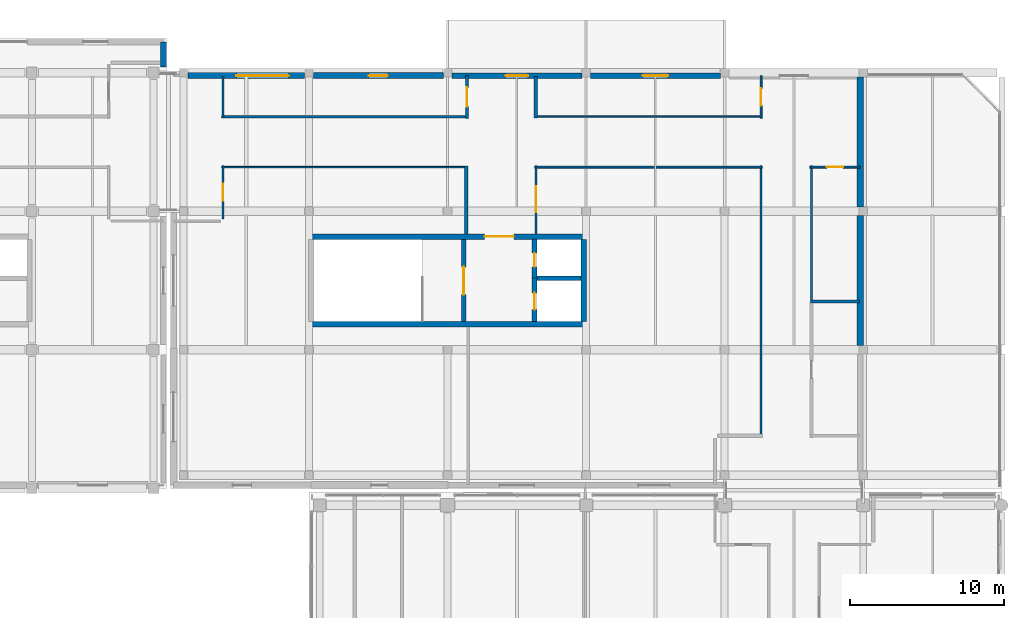
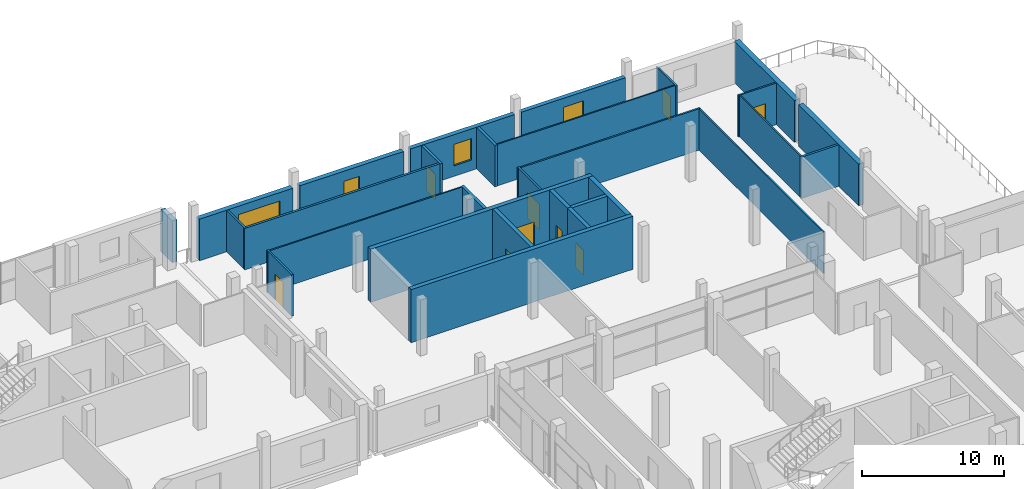
# One storey, part 85 of 111: 29 walls, 9 doors, 4 windows, 13 openings.
"""IFC4 building model written with IfcOpenShell, lengths in metres."""

import ifcopenshell
import ifcopenshell.guid

model = None  # the IFC model being written
_history = None  # IfcOwnerHistory: only IFC2X3 demands one
_inside = {}  # id of a spatial element -> (the spatial element, [elements in it])
_under = {}  # id of a project, library or spatial element -> (it, [spatial elements below it])
_declared = {}  # id of a project -> (the project, [libraries it declares])
_typed = {}  # id of a type object -> (the type object, [elements of that type])
_made_of = {}  # id of a material, layer set ... -> (it, [elements and type objects made of it])


def new_model(schema):
    """Start an empty IFC model of exactly this schema.

    Asked for "IFC4X3", IfcOpenShell would pick the latest addendum, in which some entities
    have other attributes; the version numbers below select the first issue.
    IFC2X3 requires an IfcOwnerHistory on every rooted entity: one is made here for all.
    """
    global model, _history
    if schema == "IFC4X3":
        model = ifcopenshell.file(schema_version=(4, 3, 0, 0))
    else:
        model = ifcopenshell.file(schema=schema)
    _inside.clear()
    _under.clear()
    _declared.clear()
    _typed.clear()
    _made_of.clear()
    _history = None
    if model.schema == "IFC2X3":
        org = make("IfcOrganization", Name="unknown")
        user = make(
            "IfcPersonAndOrganization",
            ThePerson=make("IfcPerson", FamilyName="unknown"),
            TheOrganization=org,
        )
        app = make(
            "IfcApplication",
            ApplicationDeveloper=org,
            Version="unknown",
            ApplicationFullName="unknown",
            ApplicationIdentifier="unknown",
        )
        _history = make(
            "IfcOwnerHistory",
            OwningUser=user,
            OwningApplication=app,
            ChangeAction="ADDED",
            CreationDate=0,
        )
    return model


def make(cls, **values):
    """One entity of the class cls with the attributes given. An attribute that is None is left unset."""
    return model.create_entity(
        cls, **{name: value for name, value in values.items() if value is not None}
    )


def rooted(cls, **values):
    """An entity with a GlobalId (a new one), such as an element, a storey or a relation."""
    return make(cls, GlobalId=ifcopenshell.guid.new(), OwnerHistory=_history, **values)


def si_unit(unit_type, name, prefix=None):
    """IfcSIUnit, for example si_unit("LENGTHUNIT", "METRE", prefix="MILLI")."""
    return make("IfcSIUnit", UnitType=unit_type, Prefix=prefix, Name=name)


def assignment(units):
    """IfcUnitAssignment: the units of a project."""
    return None if units is None else make("IfcUnitAssignment", Units=units)


def point(xyz):
    """IfcCartesianPoint."""
    return None if xyz is None else make("IfcCartesianPoint", Coordinates=xyz)


def direction(xyz):
    """IfcDirection."""
    return None if xyz is None else make("IfcDirection", DirectionRatios=xyz)


def frame(location, z_axis=None, x_axis=None):
    """IfcAxis2Placement3D, a coordinate frame: its origin and axes. An axis left out is left unset."""
    return make(
        "IfcAxis2Placement3D",
        Location=point(location),
        Axis=direction(z_axis),
        RefDirection=direction(x_axis),
    )


def frame_2d(location, x_axis=None):
    """IfcAxis2Placement2D, a coordinate frame in the plane: its origin and x axis."""
    return make(
        "IfcAxis2Placement2D", Location=point(location), RefDirection=direction(x_axis)
    )


def origin():
    """The frame at (0, 0, 0) with its axes left unset."""
    return frame((0.0, 0.0, 0.0))


def place(relative_to, where):
    """IfcLocalPlacement: puts the frame where relative to a parent placement (None: the world)."""
    return make(
        "IfcLocalPlacement", PlacementRelTo=relative_to, RelativePlacement=where
    )


def context(
    kind, dimensions, precision=None, world=None, true_north=None, identifier=None
):
    """IfcGeometricRepresentationContext, for example the 3D "Model" context."""
    return make(
        "IfcGeometricRepresentationContext",
        ContextIdentifier=identifier,
        ContextType=kind,
        CoordinateSpaceDimension=dimensions,
        Precision=precision,
        WorldCoordinateSystem=world,
        TrueNorth=true_north,
    )


def subcontext(parent, identifier, kind, view, scale=None):
    """IfcGeometricRepresentationSubContext, for example "Body" below "Model"."""
    return make(
        "IfcGeometricRepresentationSubContext",
        ContextIdentifier=identifier,
        ContextType=kind,
        ParentContext=parent,
        TargetScale=scale,
        TargetView=view,
    )


def project(units=None, contexts=None):
    """IfcProject with its units and contexts."""
    return rooted(
        "IfcProject",
        Name="project",
        RepresentationContexts=contexts,
        UnitsInContext=assignment(units),
    )


def spatial(cls, under=None, at=None, **own):
    """A site, building, storey or space (cls), placed at a placement, below another one or the project."""
    s = rooted(cls, ObjectPlacement=at, **own)
    if under is not None:
        _under.setdefault(under.id(), (under, []))[1].append(s)
    return s


def profile(cls, at=None, kind="AREA", **sizes):
    """A parametric profile (cls). Its sizes go by their IFC names, for example OverallWidth=200.0."""
    return make(cls, ProfileType=kind, Position=at, **sizes)


def rectangle(**sizes):
    """IfcRectangleProfileDef."""
    return profile("IfcRectangleProfileDef", **sizes)


def extrude(swept, where, along, depth):
    """IfcExtrudedAreaSolid: the profile swept, set in the frame where, extruded along a direction by depth."""
    return make(
        "IfcExtrudedAreaSolid",
        SweptArea=swept,
        Position=where,
        ExtrudedDirection=direction(along),
        Depth=depth,
    )


def shape(context_of_items, identifier, shape_type, items):
    """IfcShapeRepresentation: the items that make up one representation, for example the "Body"."""
    return make(
        "IfcShapeRepresentation",
        ContextOfItems=context_of_items,
        RepresentationIdentifier=identifier,
        RepresentationType=shape_type,
        Items=items,
    )


def material(Name=None, Category=None):
    """IfcMaterial."""
    return make("IfcMaterial", Name=Name, Category=Category)


def layer(
    of_material, thickness, ventilated=None, Name=None, Category=None, Priority=None
):
    """IfcMaterialLayer: one layer of a wall or slab, of a material (None: an air gap)."""
    return make(
        "IfcMaterialLayer",
        Material=of_material,
        LayerThickness=thickness,
        IsVentilated=ventilated,
        Name=Name,
        Category=Category,
        Priority=Priority,
    )


def layer_set(layers, Name=None):
    """IfcMaterialLayerSet."""
    return make("IfcMaterialLayerSet", MaterialLayers=layers, LayerSetName=Name)


def made_of(thing, what):
    """Note that an element or type object is made of a material, layer set ...; save() writes the relation."""
    if what is not None:
        _made_of.setdefault(what.id(), (what, []))[1].append(thing)
    return thing


def type_object(cls, material=None, **own):
    """A type object (cls), such as IfcWallType, which elements share."""
    return made_of(rooted(cls, **own), material)


def element(
    cls,
    number,
    at=None,
    inside=None,
    cuts=None,
    type_object=None,
    material=None,
    context=None,
    identifier="Body",
    shape_type=None,
    held_by="IfcProductDefinitionShape",
    body=None,
    shapes=None,
    **own,
):
    """One element of the class cls, such as IfcWall. Its Tag is "e" and its number.

    at: its placement. inside: the storey or other place that contains it. cuts: it is an
    opening in that element (IfcRelVoidsElement). A single representation is given by context,
    identifier, shape_type and body (its items); several are given by shapes. held_by: the class
    of the entity that holds the representations. save() writes the other relations.
    """
    e = rooted(cls, Tag="e%d" % number, ObjectPlacement=at, **own)
    if body is not None:
        shapes = [shape(context, identifier, shape_type, body)]
    if shapes is not None:
        e.Representation = make(held_by, Representations=shapes)
    if inside is not None:
        _inside.setdefault(inside.id(), (inside, []))[1].append(e)
    if cuts is not None:
        rooted(
            "IfcRelVoidsElement", RelatingBuildingElement=cuts, RelatedOpeningElement=e
        )
    if type_object is not None:
        _typed.setdefault(type_object.id(), (type_object, []))[1].append(e)
    return made_of(e, material)


def fill(opening, filler):
    """IfcRelFillsElement: the door or window that sits in an opening."""
    return rooted(
        "IfcRelFillsElement",
        RelatingOpeningElement=opening,
        RelatedBuildingElement=filler,
    )


def aggregate(whole, parts):
    """IfcRelAggregates: a whole, such as a stair, and the parts it consists of."""
    return rooted("IfcRelAggregates", RelatingObject=whole, RelatedObjects=parts)


def save(model, path):
    """Write the relations noted so far, then the file.

    IfcRelAggregates (storeys below a building ...), IfcRelContainedInSpatialStructure (elements
    in a storey), IfcRelDefinesByType, IfcRelAssociatesMaterial and IfcRelDeclares: one each for
    every whole, place, type object, material and project.
    """
    for whole, parts in _under.values():
        aggregate(whole, parts)
    for where, things in _inside.values():
        rooted(
            "IfcRelContainedInSpatialStructure",
            RelatedElements=things,
            RelatingStructure=where,
        )
    for kind, things in _typed.values():
        rooted("IfcRelDefinesByType", RelatedObjects=things, RelatingType=kind)
    for what, things in _made_of.values():
        rooted("IfcRelAssociatesMaterial", RelatedObjects=things, RelatingMaterial=what)
    for by, libraries in _declared.values():
        rooted("IfcRelDeclares", RelatingContext=by, RelatedDefinitions=libraries)
    model.write(path)


model = new_model("IFC4")

# Units and contexts
model_context = context("Model", 3, precision=1e-05, world=origin(), true_north=direction((0.0, 1.0)))
body_context = subcontext(model_context, "Body", "Model", "MODEL_VIEW")
ifc_project = project(units=[si_unit("LENGTHUNIT", "METRE"), si_unit("AREAUNIT", "SQUARE_METRE"), si_unit("VOLUMEUNIT", "CUBIC_METRE"), si_unit("PLANEANGLEUNIT", "RADIAN"), si_unit("MASSUNIT", "GRAM", prefix="KILO"), si_unit("THERMODYNAMICTEMPERATUREUNIT", "KELVIN"), si_unit("POWERUNIT", "WATT")], contexts=[model_context])

# Site, building, storey
site_placement = place(None, origin())
site = spatial("IfcSite", under=ifc_project, at=site_placement, CompositionType="ELEMENT")
building_placement = place(site_placement, origin())
building = spatial("IfcBuilding", under=site, at=building_placement, Name="Sindhuravela Promenade Stadium", CompositionType="ELEMENT")
storey_placement = place(building_placement, frame((0.0, 0.0, 9.60009765625)))
storey = spatial("IfcBuildingStorey", under=building, at=storey_placement, Name="L02", CompositionType="ELEMENT", Elevation=9.60009765625)

# Wall, opening, window
ifc_material_1 = material(Name="Terracotta clay brick masonry (15 MPa)", Category="masonry")
ifc_layer_1 = layer(ifc_material_1, 0.340087890625)
ifc_layer_set_1 = layer_set([ifc_layer_1], Name="Terracotta clay brick masonry (15 MPa)")
wall_type_1 = type_object("IfcWallType", Name="EX-WL-BRK340", PredefinedType="SOLIDWALL", material=ifc_layer_set_1)
wall_1_placement = place(storey_placement, frame((189.280029296875, 152.800048828125, 0.0), z_axis=(0.0, 0.0, 1.0), x_axis=(1.0, 0.0, 0.0)))
wall_1 = element("IfcWall", 1, at=wall_1_placement, inside=storey, type_object=wall_type_1, Name="Exterior masonry wall EW06 Pavilion NE L02", PredefinedType="SOLIDWALL", context=body_context, shape_type="SweptSolid", body=[
    extrude(rectangle(XDim=8.43994140625, YDim=0.340087890625, at=frame_2d((4.219970703125, 0.0))), origin(), (0.0, 0.0, 1.0), 3.579833984375),
])
opening_1_placement = place(wall_1_placement, frame((3.39501953125, 0.0, 0.89990234375)))
opening_1 = element("IfcOpeningElement", 2, at=opening_1_placement, cuts=wall_1, Name="Opening W27", PredefinedType="OPENING", context=body_context, shape_type="SweptSolid", body=[
    extrude(rectangle(XDim=1.64990234375, YDim=1.89990234375, at=frame_2d((0.824951171875, 0.949951171875))), frame((0.0, 0.179931640625, 0.0), z_axis=(0.0, -1.0, 0.0), x_axis=(1.0, 0.0, 0.0)), (0.0, 0.0, 1.0), 0.360107421875),
])
ifc_material_2 = material(Name="Tempered laminated low-E glass", Category="glass")
window_type_1 = type_object("IfcWindowType", Name="WN-FAC-1650x1900", PartitioningType="SINGLE_PANEL", PredefinedType="WINDOW", material=ifc_material_2)
window_1_placement = place(opening_1_placement, origin())
window_1 = element("IfcWindow", 3, at=window_1_placement, inside=storey, type_object=window_type_1, Name="Window W27 Pavilion NE L02", OverallHeight=1.89990234375, OverallWidth=1.64990234375, PartitioningType="SINGLE_PANEL", PredefinedType="WINDOW", context=body_context, shape_type="SweptSolid", body=[
    extrude(rectangle(XDim=1.64990234375, YDim=1.89990234375, at=frame_2d((0.824951171875, 0.949951171875))), frame((0.0, 0.030029296875, 0.0), z_axis=(0.0, -1.0, 0.0), x_axis=(1.0, 0.0, 0.0)), (0.0, 0.0, 1.0), 0.06005859375),
])
fill(opening_1, window_1)

ifc_layer_2 = layer(ifc_material_1, 0.360107421875)
ifc_layer_set_2 = layer_set([ifc_layer_2], Name="Terracotta clay brick masonry (15 MPa)")
wall_type_2 = type_object("IfcWallType", Name="EX-WL-BRK360", PredefinedType="SOLIDWALL", material=ifc_layer_set_2)
wall_2_placement = place(storey_placement, frame((180.280029296875, 152.800048828125, 0.0), z_axis=(0.0, 0.0, 1.0), x_axis=(1.0, 0.0, 0.0)))
wall_2 = element("IfcWall", 4, at=wall_2_placement, inside=storey, type_object=wall_type_2, Name="Exterior masonry wall EW05 Pavilion NE L02", PredefinedType="SOLIDWALL", context=body_context, shape_type="SweptSolid", body=[
    extrude(rectangle(XDim=8.43994140625, YDim=0.360107421875, at=frame_2d((4.219970703125, 0.0))), origin(), (0.0, 0.0, 1.0), 3.579833984375),
])
opening_2_placement = place(wall_2_placement, frame((3.4951171875, 0.0, 0.89990234375)))
opening_2 = element("IfcOpeningElement", 5, at=opening_2_placement, cuts=wall_2, Name="Opening W26", PredefinedType="OPENING", context=body_context, shape_type="SweptSolid", body=[
    extrude(rectangle(XDim=1.449951171875, YDim=1.85009765625, at=frame_2d((0.72509765625, 0.925048828125))), frame((0.0, 0.18994140625, 0.0), z_axis=(0.0, -1.0, 0.0), x_axis=(1.0, 0.0, 0.0)), (0.0, 0.0, 1.0), 0.380126953125),
])
window_type_2 = type_object("IfcWindowType", Name="WN-FAC-1450x1850", PartitioningType="SINGLE_PANEL", PredefinedType="WINDOW", material=ifc_material_2)
window_2_placement = place(opening_2_placement, origin())
window_2 = element("IfcWindow", 6, at=window_2_placement, inside=storey, type_object=window_type_2, Name="Window W26 Pavilion NE L02", OverallHeight=1.85009765625, OverallWidth=1.449951171875, PartitioningType="SINGLE_PANEL", PredefinedType="WINDOW", context=body_context, shape_type="SweptSolid", body=[
    extrude(rectangle(XDim=1.449951171875, YDim=1.85009765625, at=frame_2d((0.72509765625, 0.925048828125))), frame((0.0, 0.030029296875, 0.0), z_axis=(0.0, -1.0, 0.0), x_axis=(1.0, 0.0, 0.0)), (0.0, 0.0, 1.0), 0.06005859375),
])
fill(opening_2, window_2)

# Wall
ifc_layer_3 = layer(ifc_material_1, 0.3798828125)
ifc_layer_set_3 = layer_set([ifc_layer_3], Name="Terracotta clay brick masonry (15 MPa)")
wall_type_3 = type_object("IfcWallType", Name="EX-WL-BRK380", PredefinedType="SOLIDWALL", material=ifc_layer_set_3)
wall_3_placement = place(storey_placement, frame((161.550048828125, 155.0, 0.0), z_axis=(0.0, 0.0, 1.0), x_axis=(0.0, -1.0, 0.0)))
element("IfcWall", 7, at=wall_3_placement, inside=storey, type_object=wall_type_3, Name="Exterior masonry wall EW04 NORTH L02", PredefinedType="SOLIDWALL", context=body_context, shape_type="SweptSolid", body=[
    extrude(rectangle(XDim=1.64501953125, YDim=0.3798828125, at=frame_2d((0.822509765625, 0.0))), origin(), (0.0, 0.0, 1.0), 3.579833984375),
])

# Wall, opening, window
wall_4_placement = place(storey_placement, frame((171.280029296875, 152.800048828125, 0.0), z_axis=(0.0, 0.0, 1.0), x_axis=(1.0, 0.0, 0.0)))
wall_4 = element("IfcWall", 8, at=wall_4_placement, inside=storey, type_object=wall_type_3, Name="Exterior masonry wall EW04 Pavilion NE L02", PredefinedType="SOLIDWALL", context=body_context, shape_type="SweptSolid", body=[
    extrude(rectangle(XDim=8.43994140625, YDim=0.3798828125, at=frame_2d((4.219970703125, 0.0))), origin(), (0.0, 0.0, 1.0), 3.579833984375),
])
opening_3_placement = place(wall_4_placement, frame((3.594970703125, 0.0, 0.89990234375)))
opening_3 = element("IfcOpeningElement", 9, at=opening_3_placement, cuts=wall_4, Name="Opening W25", PredefinedType="OPENING", context=body_context, shape_type="SweptSolid", body=[
    extrude(rectangle(XDim=1.25, YDim=1.800048828125, at=frame_2d((0.625, 0.89990234375))), frame((0.0, 0.199951171875, 0.0), z_axis=(0.0, -1.0, 0.0), x_axis=(1.0, 0.0, 0.0)), (0.0, 0.0, 1.0), 0.39990234375),
])
window_type_3 = type_object("IfcWindowType", Name="WN-FAC-1250x1800", PartitioningType="SINGLE_PANEL", PredefinedType="WINDOW", material=ifc_material_2)
window_3_placement = place(opening_3_placement, origin())
window_3 = element("IfcWindow", 10, at=window_3_placement, inside=storey, type_object=window_type_3, Name="Window W25 Pavilion NE L02", OverallHeight=1.800048828125, OverallWidth=1.25, PartitioningType="SINGLE_PANEL", PredefinedType="WINDOW", context=body_context, shape_type="SweptSolid", body=[
    extrude(rectangle(XDim=1.25, YDim=1.800048828125, at=frame_2d((0.625, 0.89990234375))), frame((0.0, 0.030029296875, 0.0), z_axis=(0.0, -1.0, 0.0), x_axis=(1.0, 0.0, 0.0)), (0.0, 0.0, 1.0), 0.06005859375),
])
fill(opening_3, window_3)

ifc_layer_4 = layer(ifc_material_1, 0.39990234375)
ifc_layer_set_4 = layer_set([ifc_layer_4], Name="Terracotta clay brick masonry (15 MPa)")
wall_type_4 = type_object("IfcWallType", Name="EX-WL-BRK400", PredefinedType="SOLIDWALL", material=ifc_layer_set_4)
wall_5_placement = place(storey_placement, frame((163.1298828125, 152.800048828125, 0.0), z_axis=(0.0, 0.0, 1.0), x_axis=(1.0, 0.0, 0.0)))
wall_5 = element("IfcWall", 11, at=wall_5_placement, inside=storey, type_object=wall_type_4, Name="Exterior masonry wall EW03 Pavilion NE L02", PredefinedType="SOLIDWALL", context=body_context, shape_type="SweptSolid", body=[
    extrude(rectangle(XDim=7.590087890625, YDim=0.39990234375, at=frame_2d((3.794921875, 0.0))), origin(), (0.0, 0.0, 1.0), 3.579833984375),
])
opening_4_placement = place(wall_5_placement, frame((3.14990234375, 0.0, 0.89990234375)))
opening_4 = element("IfcOpeningElement", 12, at=opening_4_placement, cuts=wall_5, Name="Opening W24", PredefinedType="OPENING", context=body_context, shape_type="SweptSolid", body=[
    extrude(rectangle(XDim=3.39990234375, YDim=1.949951171875, at=frame_2d((1.699951171875, 0.97509765625))), frame((0.0, 0.2099609375, 0.0), z_axis=(0.0, -1.0, 0.0), x_axis=(1.0, 0.0, 0.0)), (0.0, 0.0, 1.0), 0.419921875),
])
window_type_4 = type_object("IfcWindowType", Name="WN-FAC-3400x1950", PartitioningType="DOUBLE_PANEL_VERTICAL", PredefinedType="WINDOW", material=ifc_material_2)
window_4_placement = place(opening_4_placement, origin())
window_4 = element("IfcWindow", 13, at=window_4_placement, inside=storey, type_object=window_type_4, Name="Window W24 Pavilion NE L02", OverallHeight=1.949951171875, OverallWidth=3.39990234375, PartitioningType="DOUBLE_PANEL_VERTICAL", PredefinedType="WINDOW", context=body_context, shape_type="SweptSolid", body=[
    extrude(rectangle(XDim=3.39990234375, YDim=1.949951171875, at=frame_2d((1.699951171875, 0.97509765625))), frame((0.0, 0.030029296875, 0.0), z_axis=(0.0, -1.0, 0.0), x_axis=(1.0, 0.0, 0.0)), (0.0, 0.0, 1.0), 0.06005859375),
])
fill(opening_4, window_4)

# Walls
wall_6_placement = place(storey_placement, frame((206.800048828125, 143.719970703125, 0.0), z_axis=(0.0, 0.0, 1.0), x_axis=(0.0, -1.0, 0.0)))
element("IfcWall", 14, at=wall_6_placement, inside=storey, type_object=wall_type_4, Name="Exterior masonry wall EW03 Pavilion NE L02", PredefinedType="SOLIDWALL", context=body_context, shape_type="SweptSolid", body=[
    extrude(rectangle(XDim=8.43994140625, YDim=0.39990234375, at=frame_2d((4.219970703125, 0.0))), origin(), (0.0, 0.0, 1.0), 3.579833984375),
])
ifc_layer_5 = layer(ifc_material_1, 0.419921875)
ifc_layer_set_5 = layer_set([ifc_layer_5], Name="Terracotta clay brick masonry (15 MPa)")
wall_type_5 = type_object("IfcWallType", Name="EX-WL-BRK420", PredefinedType="SOLIDWALL", material=ifc_layer_set_5)
wall_7_placement = place(storey_placement, frame((206.800048828125, 152.719970703125, 0.0), z_axis=(0.0, 0.0, 1.0), x_axis=(0.0, -1.0, 0.0)))
element("IfcWall", 15, at=wall_7_placement, inside=storey, type_object=wall_type_5, Name="Exterior masonry wall EW02 Pavilion NE L02", PredefinedType="SOLIDWALL", context=body_context, shape_type="SweptSolid", body=[
    extrude(rectangle(XDim=8.43994140625, YDim=0.419921875, at=frame_2d((4.219970703125, 0.0))), origin(), (0.0, 0.0, 1.0), 3.579833984375),
])
ifc_material_3 = material(Name="Fire-rated gypsum partition board", Category="gypsum")
ifc_layer_6 = layer(ifc_material_3, 0.110107421875)
ifc_layer_set_6 = layer_set([ifc_layer_6], Name="Fire-rated gypsum partition board")
wall_type_6 = type_object("IfcWallType", Name="IN-WL-PAR110", PredefinedType="PARTITIONING", material=ifc_layer_set_6)
wall_8_placement = place(storey_placement, frame((200.360107421875, 146.93994140625, 0.0), z_axis=(0.0, 0.0, 1.0), x_axis=(0.0, -1.0, 0.0)))
element("IfcWall", 16, at=wall_8_placement, inside=storey, type_object=wall_type_6, Name="Interior partition IW06 Pavilion NE L02", PredefinedType="PARTITIONING", context=body_context, shape_type="SweptSolid", body=[
    extrude(rectangle(XDim=17.60986328125, YDim=0.110107421875, at=frame_2d((8.804931640625, 0.0))), origin(), (0.0, 0.0, 1.0), 3.559814453125),
])
wall_9_placement = place(storey_placement, frame((165.330078125, 146.860107421875, 0.0), z_axis=(0.0, 0.0, 1.0), x_axis=(1.0, 0.0, 0.0)))
element("IfcWall", 17, at=wall_9_placement, inside=storey, type_object=wall_type_6, Name="Interior partition IW06 Pavilion NE L02", PredefinedType="PARTITIONING", context=body_context, shape_type="SweptSolid", body=[
    extrude(rectangle(XDim=15.969970703125, YDim=0.110107421875, at=frame_2d((7.98486328125, 0.0))), origin(), (0.0, 0.0, 1.0), 3.559814453125),
])
wall_10_placement = place(storey_placement, frame((200.43994140625, 150.139892578125, 0.0), z_axis=(0.0, 0.0, 1.0), x_axis=(-1.0, 0.0, 0.0)))
element("IfcWall", 18, at=wall_10_placement, inside=storey, type_object=wall_type_6, Name="Interior partition IW06 Pavilion NE L02", PredefinedType="PARTITIONING", context=body_context, shape_type="SweptSolid", body=[
    extrude(rectangle(XDim=14.780029296875, YDim=0.110107421875, at=frame_2d((7.39013671875, 0.0))), origin(), (0.0, 0.0, 1.0), 3.559814453125),
])
wall_11_placement = place(storey_placement, frame((203.639892578125, 138.175048828125, 0.0), z_axis=(0.0, 0.0, 1.0), x_axis=(0.0, 1.0, 0.0)))
element("IfcWall", 19, at=wall_11_placement, inside=storey, type_object=wall_type_6, Name="Interior partition IW06 Pavilion NE L02", PredefinedType="PARTITIONING", context=body_context, shape_type="SweptSolid", body=[
    extrude(rectangle(XDim=8.764892578125, YDim=0.110107421875, at=frame_2d((4.38232421875, 0.0))), origin(), (0.0, 0.0, 1.0), 3.559814453125),
])
ifc_layer_7 = layer(ifc_material_3, 0.1298828125)
ifc_layer_set_7 = layer_set([ifc_layer_7], Name="Fire-rated gypsum partition board")
wall_type_7 = type_object("IfcWallType", Name="IN-WL-PAR130", PredefinedType="PARTITIONING", material=ifc_layer_set_7)
wall_12_placement = place(storey_placement, frame((185.659912109375, 146.860107421875, 0.0), z_axis=(0.0, 0.0, 1.0), x_axis=(1.0, 0.0, 0.0)))
element("IfcWall", 20, at=wall_12_placement, inside=storey, type_object=wall_type_7, Name="Interior partition IW05 Pavilion NE L02", PredefinedType="PARTITIONING", context=body_context, shape_type="SweptSolid", body=[
    extrude(rectangle(XDim=14.780029296875, YDim=0.1298828125, at=frame_2d((7.39013671875, 0.0))), origin(), (0.0, 0.0, 1.0), 3.559814453125),
])

# Wall, opening, door
wall_13_placement = place(storey_placement, frame((200.360107421875, 150.02001953125, 0.0), z_axis=(0.0, 0.0, 1.0), x_axis=(0.0, 1.0, 0.0)))
wall_13 = element("IfcWall", 21, at=wall_13_placement, inside=storey, type_object=wall_type_7, Name="Corridor partition IW05 Pavilion Parkview Club Lounge NE 2", PredefinedType="PARTITIONING", context=body_context, shape_type="SweptSolid", body=[
    extrude(rectangle(XDim=2.780029296875, YDim=0.1298828125, at=frame_2d((1.39013671875, 0.0))), origin(), (0.0, 0.0, 1.0), 3.559814453125),
])
opening_5_placement = place(wall_13_placement, frame((0.81494140625, 0.0, 0.0)))
opening_5 = element("IfcOpeningElement", 22, at=opening_5_placement, cuts=wall_13, Name="Opening ID05", PredefinedType="OPENING", context=body_context, shape_type="SweptSolid", body=[
    extrude(rectangle(XDim=1.14990234375, YDim=2.14990234375, at=frame_2d((0.574951171875, 1.074951171875))), frame((0.0, 0.074951171875, 0.0), z_axis=(0.0, -1.0, 0.0), x_axis=(1.0, 0.0, 0.0)), (0.0, 0.0, 1.0), 0.14990234375),
])
ifc_material_4 = material(Name="Architectural teak timber leaf", Category="wood")
door_type_1 = type_object("IfcDoorType", Name="DR-INT-1150x2150", OperationType="NOTDEFINED", PredefinedType="DOOR", material=ifc_material_4)
door_1_placement = place(opening_5_placement, origin())
door_1 = element("IfcDoor", 23, at=door_1_placement, inside=storey, type_object=door_type_1, Name="Pavilion Parkview Club Lounge NE 2 door", OperationType="SINGLE_SWING_LEFT", OverallHeight=2.14990234375, OverallWidth=1.14990234375, PredefinedType="DOOR", context=body_context, shape_type="SweptSolid", body=[
    extrude(rectangle(XDim=1.14990234375, YDim=2.14990234375, at=frame_2d((0.574951171875, 1.074951171875))), frame((0.0, 0.02490234375, 0.0), z_axis=(0.0, -1.0, 0.0), x_axis=(1.0, 0.0, 0.0)), (0.0, 0.0, 1.0), 0.050048828125),
])
fill(opening_5, door_1)

wall_14_placement = place(storey_placement, frame((206.800048828125, 146.860107421875, 0.0), z_axis=(0.0, 0.0, 1.0), x_axis=(-1.0, 0.0, 0.0)))
wall_14 = element("IfcWall", 24, at=wall_14_placement, inside=storey, type_object=wall_type_7, Name="Corridor partition IW05 Accessible WC NE L02 4", PredefinedType="PARTITIONING", context=body_context, shape_type="SweptSolid", body=[
    extrude(rectangle(XDim=3.280029296875, YDim=0.1298828125, at=frame_2d((1.64013671875, 0.0))), origin(), (0.0, 0.0, 1.0), 3.559814453125),
])
opening_6_placement = place(wall_14_placement, frame((1.114990234375, 0.0, 0.0)))
opening_6 = element("IfcOpeningElement", 25, at=opening_6_placement, cuts=wall_14, Name="Opening ID07", PredefinedType="OPENING", context=body_context, shape_type="SweptSolid", body=[
    extrude(rectangle(XDim=1.050048828125, YDim=2.10009765625, at=frame_2d((0.52490234375, 1.050048828125))), frame((0.0, 0.074951171875, 0.0), z_axis=(0.0, -1.0, 0.0), x_axis=(1.0, 0.0, 0.0)), (0.0, 0.0, 1.0), 0.14990234375),
])
door_type_2 = type_object("IfcDoorType", Name="DR-INT-1050x2100", OperationType="NOTDEFINED", PredefinedType="DOOR", material=ifc_material_4)
door_2_placement = place(opening_6_placement, origin())
door_2 = element("IfcDoor", 26, at=door_2_placement, inside=storey, type_object=door_type_2, Name="Accessible WC NE L02 4 door", OperationType="SINGLE_SWING_LEFT", OverallHeight=2.10009765625, OverallWidth=1.050048828125, PredefinedType="DOOR", context=body_context, shape_type="SweptSolid", body=[
    extrude(rectangle(XDim=1.050048828125, YDim=2.10009765625, at=frame_2d((0.52490234375, 1.050048828125))), frame((0.0, 0.02490234375, 0.0), z_axis=(0.0, -1.0, 0.0), x_axis=(1.0, 0.0, 0.0)), (0.0, 0.0, 1.0), 0.050048828125),
])
fill(opening_6, door_2)

ifc_layer_8 = layer(ifc_material_3, 0.14990234375)
ifc_layer_set_8 = layer_set([ifc_layer_8], Name="Fire-rated gypsum partition board")
wall_type_8 = type_object("IfcWallType", Name="IN-WL-PAR150", PredefinedType="PARTITIONING", material=ifc_layer_set_8)
wall_15_placement = place(storey_placement, frame((185.739990234375, 146.97998046875, 0.0), z_axis=(0.0, 0.0, 1.0), x_axis=(0.0, -1.0, 0.0)))
wall_15 = element("IfcWall", 27, at=wall_15_placement, inside=storey, type_object=wall_type_8, Name="Corridor partition IW04 Pavilion Parkview Club Lounge NE", PredefinedType="PARTITIONING", context=body_context, shape_type="SweptSolid", body=[
    extrude(rectangle(XDim=4.452880859375, YDim=0.14990234375, at=frame_2d((2.2265625, 0.0))), origin(), (0.0, 0.0, 1.0), 3.559814453125),
])
opening_7_placement = place(wall_15_placement, frame((1.35009765625, 0.0, 0.0)))
opening_7 = element("IfcOpeningElement", 28, at=opening_7_placement, cuts=wall_15, Name="Opening ID01", PredefinedType="OPENING", context=body_context, shape_type="SweptSolid", body=[
    extrude(rectangle(XDim=1.699951171875, YDim=2.199951171875, at=frame_2d((0.85009765625, 1.10009765625))), frame((0.0, 0.0849609375, 0.0), z_axis=(0.0, -1.0, 0.0), x_axis=(1.0, 0.0, 0.0)), (0.0, 0.0, 1.0), 0.169921875),
])
door_type_3 = type_object("IfcDoorType", Name="DR-INT-1700x2200", OperationType="DOUBLE_DOOR_SINGLE_SWING", PredefinedType="DOOR", material=ifc_material_4)
door_3_placement = place(opening_7_placement, origin())
door_3 = element("IfcDoor", 29, at=door_3_placement, inside=storey, type_object=door_type_3, Name="Pavilion Parkview Club Lounge NE door", OperationType="DOUBLE_DOOR_SINGLE_SWING", OverallHeight=2.199951171875, OverallWidth=1.699951171875, PredefinedType="DOOR", context=body_context, shape_type="SweptSolid", body=[
    extrude(rectangle(XDim=1.699951171875, YDim=2.199951171875, at=frame_2d((0.85009765625, 1.10009765625))), frame((0.0, 0.02490234375, 0.0), z_axis=(0.0, -1.0, 0.0), x_axis=(1.0, 0.0, 0.0)), (0.0, 0.0, 1.0), 0.050048828125),
])
fill(opening_7, door_3)

wall_16_placement = place(storey_placement, frame((165.409912109375, 146.97998046875, 0.0), z_axis=(0.0, 0.0, 1.0), x_axis=(0.0, -1.0, 0.0)))
wall_16 = element("IfcWall", 30, at=wall_16_placement, inside=storey, type_object=wall_type_8, Name="Corridor partition IW04 Civic Exhibition Salon NE", PredefinedType="PARTITIONING", context=body_context, shape_type="SweptSolid", body=[
    extrude(rectangle(XDim=3.5, YDim=0.14990234375, at=frame_2d((1.75, 0.0))), origin(), (0.0, 0.0, 1.0), 3.559814453125),
])
opening_8_placement = place(wall_16_placement, frame((1.18994140625, 0.0, 0.0)))
opening_8 = element("IfcOpeningElement", 31, at=opening_8_placement, cuts=wall_16, Name="Opening ID13", PredefinedType="OPENING", context=body_context, shape_type="SweptSolid", body=[
    extrude(rectangle(XDim=1.1201171875, YDim=2.219970703125, at=frame_2d((0.56005859375, 1.10986328125))), frame((0.0, 0.0849609375, 0.0), z_axis=(0.0, -1.0, 0.0), x_axis=(1.0, 0.0, 0.0)), (0.0, 0.0, 1.0), 0.169921875),
])
door_type_4 = type_object("IfcDoorType", Name="DR-INT-1120x2220", OperationType="NOTDEFINED", PredefinedType="DOOR", material=ifc_material_4)
door_4_placement = place(opening_8_placement, origin())
door_4 = element("IfcDoor", 32, at=door_4_placement, inside=storey, type_object=door_type_4, Name="Civic Exhibition Salon NE door", OperationType="SINGLE_SWING_LEFT", OverallHeight=2.219970703125, OverallWidth=1.1201171875, PredefinedType="DOOR", context=body_context, shape_type="SweptSolid", body=[
    extrude(rectangle(XDim=1.1201171875, YDim=2.219970703125, at=frame_2d((0.56005859375, 1.10986328125))), frame((0.0, 0.02490234375, 0.0), z_axis=(0.0, -1.0, 0.0), x_axis=(1.0, 0.0, 0.0)), (0.0, 0.0, 1.0), 0.050048828125),
])
fill(opening_8, door_4)

# Walls
wall_17_placement = place(storey_placement, frame((165.409912109375, 150.06005859375, 0.0), z_axis=(0.0, 0.0, 1.0), x_axis=(0.0, 1.0, 0.0)))
element("IfcWall", 33, at=wall_17_placement, inside=storey, type_object=wall_type_8, Name="Interior partition IW04 Pavilion NE L02", PredefinedType="PARTITIONING", context=body_context, shape_type="SweptSolid", body=[
    extrude(rectangle(XDim=2.699951171875, YDim=0.14990234375, at=frame_2d((1.35009765625, 0.0))), origin(), (0.0, 0.0, 1.0), 3.559814453125),
])
ifc_layer_9 = layer(ifc_material_3, 0.175048828125)
ifc_layer_set_9 = layer_set([ifc_layer_9], Name="Fire-rated gypsum partition board")
wall_type_9 = type_object("IfcWallType", Name="IN-WL-PAR175", PredefinedType="PARTITIONING", material=ifc_layer_set_9)
wall_18_placement = place(storey_placement, frame((181.340087890625, 150.139892578125, 0.0), z_axis=(0.0, 0.0, 1.0), x_axis=(-1.0, 0.0, 0.0)))
element("IfcWall", 34, at=wall_18_placement, inside=storey, type_object=wall_type_9, Name="Interior partition IW03 Pavilion NE L02", PredefinedType="PARTITIONING", context=body_context, shape_type="SweptSolid", body=[
    extrude(rectangle(XDim=16.010009765625, YDim=0.175048828125, at=frame_2d((8.0048828125, 0.0))), origin(), (0.0, 0.0, 1.0), 3.559814453125),
])
wall_19_placement = place(storey_placement, frame((203.56005859375, 138.135009765625, 0.0), z_axis=(0.0, 0.0, 1.0), x_axis=(1.0, 0.0, 0.0)))
element("IfcWall", 35, at=wall_19_placement, inside=storey, type_object=wall_type_9, Name="Interior partition IW03 Pavilion NE L02", PredefinedType="PARTITIONING", context=body_context, shape_type="SweptSolid", body=[
    extrude(rectangle(XDim=3.199951171875, YDim=0.175048828125, at=frame_2d((1.60009765625, 0.0))), origin(), (0.0, 0.0, 1.0), 3.559814453125),
])

# Wall, opening, door
ifc_layer_10 = layer(ifc_material_3, 0.195068359375)
ifc_layer_set_10 = layer_set([ifc_layer_10], Name="Fire-rated gypsum partition board")
wall_type_10 = type_object("IfcWallType", Name="IN-WL-PAR195", PredefinedType="PARTITIONING", material=ifc_layer_set_10)
wall_20_placement = place(storey_placement, frame((181.260009765625, 150.02001953125, 0.0), z_axis=(0.0, 0.0, 1.0), x_axis=(0.0, 1.0, 0.0)))
wall_20 = element("IfcWall", 36, at=wall_20_placement, inside=storey, type_object=wall_type_10, Name="Corridor partition IW02 Accessible WC NE L02", PredefinedType="PARTITIONING", context=body_context, shape_type="SweptSolid", body=[
    extrude(rectangle(XDim=2.780029296875, YDim=0.195068359375, at=frame_2d((1.39013671875, 0.0))), origin(), (0.0, 0.0, 1.0), 3.559814453125),
])
opening_9_placement = place(wall_20_placement, frame((0.764892578125, 0.0, 0.0)))
opening_9 = element("IfcOpeningElement", 37, at=opening_9_placement, cuts=wall_20, Name="Opening ID04", PredefinedType="OPENING", context=body_context, shape_type="SweptSolid", body=[
    extrude(rectangle(XDim=1.25, YDim=2.14990234375, at=frame_2d((0.625, 1.074951171875))), frame((0.0, 0.107421875, 0.0), z_axis=(0.0, -1.0, 0.0), x_axis=(1.0, 0.0, 0.0)), (0.0, 0.0, 1.0), 0.215087890625),
])
door_type_5 = type_object("IfcDoorType", Name="DR-INT-1250x2150", OperationType="NOTDEFINED", PredefinedType="DOOR", material=ifc_material_4)
door_5_placement = place(opening_9_placement, origin())
door_5 = element("IfcDoor", 38, at=door_5_placement, inside=storey, type_object=door_type_5, Name="Accessible WC NE L02 door", OperationType="SINGLE_SWING_RIGHT", OverallHeight=2.14990234375, OverallWidth=1.25, PredefinedType="DOOR", context=body_context, shape_type="SweptSolid", body=[
    extrude(rectangle(XDim=1.25, YDim=2.14990234375, at=frame_2d((0.625, 1.074951171875))), frame((0.0, 0.02490234375, 0.0), z_axis=(0.0, -1.0, 0.0), x_axis=(1.0, 0.0, 0.0)), (0.0, 0.0, 1.0), 0.050048828125),
])
fill(opening_9, door_5)

# Walls
ifc_layer_11 = layer(ifc_material_3, 0.219970703125)
ifc_layer_set_11 = layer_set([ifc_layer_11], Name="Fire-rated gypsum partition board")
wall_type_11 = type_object("IfcWallType", Name="IN-WL-PAR220", PredefinedType="PARTITIONING", material=ifc_layer_set_11)
wall_21_placement = place(storey_placement, frame((181.219970703125, 146.93994140625, 0.0), z_axis=(0.0, 0.0, 1.0), x_axis=(0.0, -1.0, 0.0)))
element("IfcWall", 39, at=wall_21_placement, inside=storey, type_object=wall_type_11, Name="Interior partition IW01 Pavilion NE L02", PredefinedType="PARTITIONING", context=body_context, shape_type="SweptSolid", body=[
    extrude(rectangle(XDim=4.412841796875, YDim=0.219970703125, at=frame_2d((2.20654296875, 0.0))), origin(), (0.0, 0.0, 1.0), 3.559814453125),
])
wall_22_placement = place(storey_placement, frame((185.739990234375, 150.06005859375, 0.0), z_axis=(0.0, 0.0, 1.0), x_axis=(0.0, 1.0, 0.0)))
element("IfcWall", 40, at=wall_22_placement, inside=storey, type_object=wall_type_11, Name="Interior partition IW01 Pavilion NE L02", PredefinedType="PARTITIONING", context=body_context, shape_type="SweptSolid", body=[
    extrude(rectangle(XDim=2.699951171875, YDim=0.219970703125, at=frame_2d((1.35009765625, 0.0))), origin(), (0.0, 0.0, 1.0), 3.559814453125),
])

# Wall, opening, door
ifc_material_5 = material(Name="Concrete M50", Category="concrete")
ifc_layer_12 = layer(ifc_material_5, 0.300048828125)
ifc_layer_set_12 = layer_set([ifc_layer_12], Name="Concrete M50")
wall_type_12 = type_object("IfcWallType", Name="RC-SW-300", PredefinedType="SHEAR", material=ifc_layer_set_12)
wall_23_placement = place(storey_placement, frame((181.050048828125, 136.824951171875, 0.0), z_axis=(0.0, 0.0, 1.0), x_axis=(0.0, 1.0, 0.0)))
wall_23 = element("IfcWall", 41, at=wall_23_placement, inside=storey, type_object=wall_type_12, Name="Core shear wall C16-ST (L02)", PredefinedType="SHEAR", context=body_context, shape_type="SweptSolid", body=[
    extrude(rectangle(XDim=5.35009765625, YDim=0.300048828125, at=frame_2d((2.675048828125, 0.0))), origin(), (0.0, 0.0, 1.0), 4.554931640625),
])
opening_10_placement = place(wall_23_placement, frame((1.75, 0.0, 0.0)))
opening_10 = element("IfcOpeningElement", 42, at=opening_10_placement, cuts=wall_23, Name="Opening FD01", PredefinedType="OPENING", context=body_context, shape_type="SweptSolid", body=[
    extrude(rectangle(XDim=1.800048828125, YDim=2.25, at=frame_2d((0.89990234375, 1.125))), frame((0.0, 0.159912109375, 0.0), z_axis=(0.0, -1.0, 0.0), x_axis=(1.0, 0.0, 0.0)), (0.0, 0.0, 1.0), 0.320068359375),
])
ifc_material_6 = material(Name="Architectural wrought steel E350", Category="steel")
door_type_6 = type_object("IfcDoorType", Name="DR-CORE-1800x2250", OperationType="DOUBLE_DOOR_SINGLE_SWING", PredefinedType="DOOR", material=ifc_material_6)
door_6_placement = place(opening_10_placement, origin())
door_6 = element("IfcDoor", 43, at=door_6_placement, inside=storey, type_object=door_type_6, Name="Stair GS04 lobby fire door (L02)", OperationType="DOUBLE_DOOR_SINGLE_SWING", OverallHeight=2.25, OverallWidth=1.800048828125, PredefinedType="DOOR", context=body_context, shape_type="SweptSolid", body=[
    extrude(rectangle(XDim=1.800048828125, YDim=2.25, at=frame_2d((0.89990234375, 1.125))), frame((0.0, 0.02490234375, 0.0), z_axis=(0.0, -1.0, 0.0), x_axis=(1.0, 0.0, 0.0)), (0.0, 0.0, 1.0), 0.050048828125),
])
fill(opening_10, door_6)

wall_24_placement = place(storey_placement, frame((185.64990234375, 136.824951171875, 0.0), z_axis=(0.0, 0.0, 1.0), x_axis=(0.0, 1.0, 0.0)))
wall_24 = element("IfcWall", 44, at=wall_24_placement, inside=storey, type_object=wall_type_12, Name="Core shear wall C16-LFT (L02)", PredefinedType="SHEAR", context=body_context, shape_type="SweptSolid", body=[
    extrude(rectangle(XDim=2.824951171875, YDim=0.300048828125, at=frame_2d((1.41259765625, 0.0))), origin(), (0.0, 0.0, 1.0), 4.554931640625),
])
opening_11_placement = place(wall_24_placement, frame((0.77490234375, 0.0, 0.0)))
opening_11 = element("IfcOpeningElement", 45, at=opening_11_placement, cuts=wall_24, Name="Opening LD", PredefinedType="OPENING", context=body_context, shape_type="SweptSolid", body=[
    extrude(rectangle(XDim=1.10009765625, YDim=2.10009765625, at=frame_2d((0.550048828125, 1.050048828125))), frame((0.0, 0.159912109375, 0.0), z_axis=(0.0, -1.0, 0.0), x_axis=(1.0, 0.0, 0.0)), (0.0, 0.0, 1.0), 0.320068359375),
])
door_type_7 = type_object("IfcDoorType", Name="DR-LFT-1100x2100", OperationType="DOUBLE_DOOR_SLIDING", PredefinedType="DOOR", material=ifc_material_6)
door_7_placement = place(opening_11_placement, origin())
door_7 = element("IfcDoor", 46, at=door_7_placement, inside=storey, type_object=door_type_7, Name="Lift PL08 landing door (L02)", OperationType="DOUBLE_DOOR_SLIDING", OverallHeight=2.10009765625, OverallWidth=1.10009765625, PredefinedType="DOOR", context=body_context, shape_type="SweptSolid", body=[
    extrude(rectangle(XDim=1.10009765625, YDim=2.10009765625, at=frame_2d((0.550048828125, 1.050048828125))), frame((0.0, 0.02490234375, 0.0), z_axis=(0.0, -1.0, 0.0), x_axis=(1.0, 0.0, 0.0)), (0.0, 0.0, 1.0), 0.050048828125),
])
fill(opening_11, door_7)

wall_25_placement = place(storey_placement, frame((185.64990234375, 139.64990234375, 0.0), z_axis=(0.0, 0.0, 1.0), x_axis=(0.0, 1.0, 0.0)))
wall_25 = element("IfcWall", 47, at=wall_25_placement, inside=storey, type_object=wall_type_12, Name="Core shear wall C16-RSR (L02)", PredefinedType="SHEAR", context=body_context, shape_type="SweptSolid", body=[
    extrude(rectangle(XDim=2.525146484375, YDim=0.300048828125, at=frame_2d((1.2626953125, 0.0))), origin(), (0.0, 0.0, 1.0), 4.554931640625),
])
opening_12_placement = place(wall_25_placement, frame((0.72509765625, 0.0, 0.0)))
opening_12 = element("IfcOpeningElement", 48, at=opening_12_placement, cuts=wall_25, Name="Opening FD03", PredefinedType="OPENING", context=body_context, shape_type="SweptSolid", body=[
    extrude(rectangle(XDim=0.89990234375, YDim=2.10009765625, at=frame_2d((0.449951171875, 1.050048828125))), frame((0.0, 0.159912109375, 0.0), z_axis=(0.0, -1.0, 0.0), x_axis=(1.0, 0.0, 0.0)), (0.0, 0.0, 1.0), 0.320068359375),
])
door_type_8 = type_object("IfcDoorType", Name="DR-RSR-900x2100", OperationType="NOTDEFINED", PredefinedType="DOOR", material=ifc_material_6)
door_8_placement = place(opening_12_placement, origin())
door_8 = element("IfcDoor", 49, at=door_8_placement, inside=storey, type_object=door_type_8, Name="Riser shaft access door C16 (L02)", OperationType="SINGLE_SWING_LEFT", OverallHeight=2.10009765625, OverallWidth=0.89990234375, PredefinedType="DOOR", context=body_context, shape_type="SweptSolid", body=[
    extrude(rectangle(XDim=0.89990234375, YDim=2.10009765625, at=frame_2d((0.449951171875, 1.050048828125))), frame((0.0, 0.02490234375, 0.0), z_axis=(0.0, -1.0, 0.0), x_axis=(1.0, 0.0, 0.0)), (0.0, 0.0, 1.0), 0.050048828125),
])
fill(opening_12, door_8)

# Walls
wall_26_placement = place(storey_placement, frame((185.800048828125, 139.64990234375, 0.0), z_axis=(0.0, 0.0, 1.0), x_axis=(1.0, 0.0, 0.0)))
element("IfcWall", 50, at=wall_26_placement, inside=storey, type_object=wall_type_12, Name="Core shear wall C16-DIV (L02)", PredefinedType="SHEAR", context=body_context, shape_type="SweptSolid", body=[
    extrude(rectangle(XDim=2.875, YDim=0.300048828125, at=frame_2d((1.4375, 0.0))), origin(), (0.0, 0.0, 1.0), 4.554931640625),
])
ifc_layer_13 = layer(ifc_material_5, 0.35009765625)
ifc_layer_set_13 = layer_set([ifc_layer_13], Name="Concrete M50")
wall_type_13 = type_object("IfcWallType", Name="RC-SW-350", PredefinedType="SHEAR", material=ifc_layer_set_13)
wall_27_placement = place(storey_placement, frame((171.0, 136.64990234375, 0.0), z_axis=(0.0, 0.0, 1.0), x_axis=(1.0, 0.0, 0.0)))
element("IfcWall", 51, at=wall_27_placement, inside=storey, type_object=wall_type_13, Name="Core shear wall C16-S (L02)", PredefinedType="SHEAR", context=body_context, shape_type="SweptSolid", body=[
    extrude(rectangle(XDim=18.0, YDim=0.35009765625, at=frame_2d((9.0, 0.0))), origin(), (0.0, 0.0, 1.0), 4.554931640625),
])

# Wall, opening, door
wall_28_placement = place(storey_placement, frame((189.0, 142.35009765625, 0.0), z_axis=(0.0, 0.0, 1.0), x_axis=(-1.0, 0.0, 0.0)))
wall_28 = element("IfcWall", 52, at=wall_28_placement, inside=storey, type_object=wall_type_13, Name="Core shear wall C16-N (L02)", PredefinedType="SHEAR", context=body_context, shape_type="SweptSolid", body=[
    extrude(rectangle(XDim=18.0, YDim=0.35009765625, at=frame_2d((9.0, 0.0))), origin(), (0.0, 0.0, 1.0), 4.554931640625),
])
opening_13_placement = place(wall_28_placement, frame((4.699951171875, 0.0, 0.0)))
opening_13 = element("IfcOpeningElement", 53, at=opening_13_placement, cuts=wall_28, Name="Opening FD02", PredefinedType="OPENING", context=body_context, shape_type="SweptSolid", body=[
    extrude(rectangle(XDim=1.89990234375, YDim=2.25, at=frame_2d((0.949951171875, 1.125))), frame((0.0, 0.18505859375, 0.0), z_axis=(0.0, -1.0, 0.0), x_axis=(1.0, 0.0, 0.0)), (0.0, 0.0, 1.0), 0.3701171875),
])
door_type_9 = type_object("IfcDoorType", Name="DR-LOB-1900x2250", OperationType="DOUBLE_DOOR_SINGLE_SWING", PredefinedType="DOOR", material=ifc_material_6)
door_9_placement = place(opening_13_placement, origin())
door_9 = element("IfcDoor", 54, at=door_9_placement, inside=storey, type_object=door_type_9, Name="Protected lobby entrance door C16 (L02)", OperationType="DOUBLE_DOOR_SINGLE_SWING", OverallHeight=2.25, OverallWidth=1.89990234375, PredefinedType="DOOR", context=body_context, shape_type="SweptSolid", body=[
    extrude(rectangle(XDim=1.89990234375, YDim=2.25, at=frame_2d((0.949951171875, 1.125))), frame((0.0, 0.02490234375, 0.0), z_axis=(0.0, -1.0, 0.0), x_axis=(1.0, 0.0, 0.0)), (0.0, 0.0, 1.0), 0.050048828125),
])
fill(opening_13, door_9)

# Wall
wall_29_placement = place(storey_placement, frame((188.85009765625, 136.824951171875, 0.0), z_axis=(0.0, 0.0, 1.0), x_axis=(0.0, 1.0, 0.0)))
element("IfcWall", 55, at=wall_29_placement, inside=storey, type_object=wall_type_13, Name="Core shear wall C16-E (L02)", PredefinedType="SHEAR", context=body_context, shape_type="SweptSolid", body=[
    extrude(rectangle(XDim=5.35009765625, YDim=0.35009765625, at=frame_2d((2.675048828125, 0.0))), origin(), (0.0, 0.0, 1.0), 4.554931640625),
])

save(model, "model.ifc")
